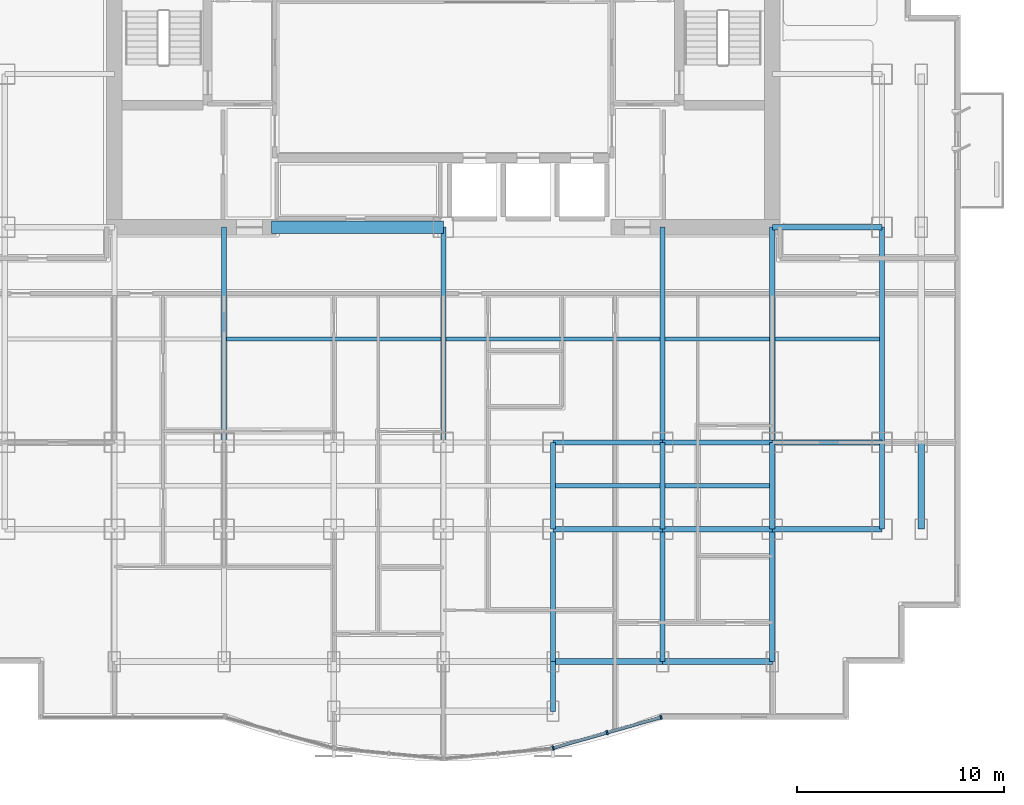
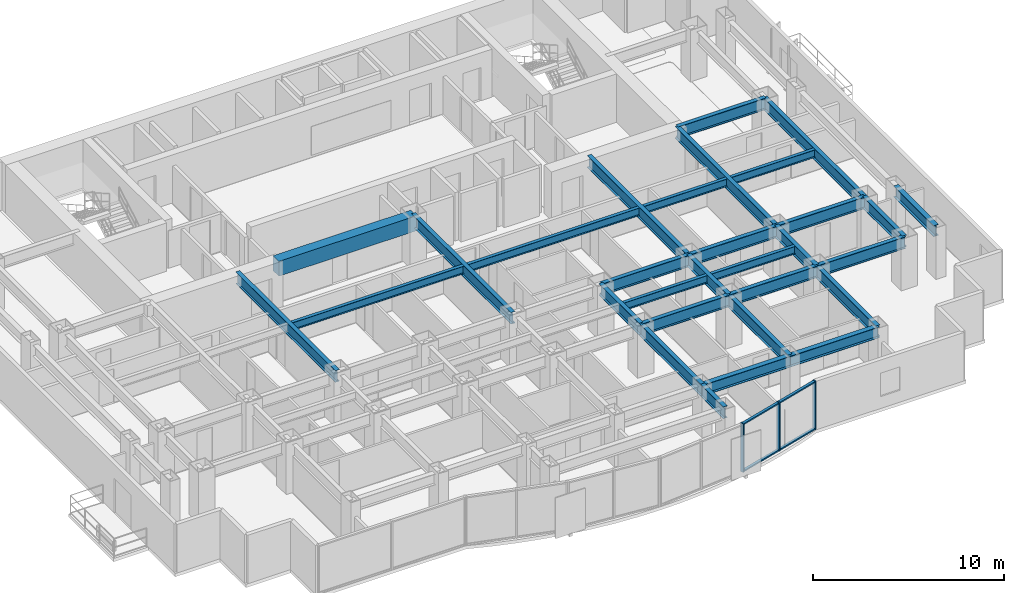
# One storey, part 3 of 10: 30 beams, 7 members, 1 element without a shape of its own.
"""IFC4 building model written with IfcOpenShell, lengths in metres."""

from ifc_helpers import new_model, si_unit, direction, frame, origin, origin_2d, place, context, subcontext, project, spatial, rectangle, i_section, extrude, source, transform, mapped, material, layer, layer_set, material_profile, profile_set, type_object, element, aggregate, save


model = new_model("IFC4")

# Units and contexts
model_context = context("Model", 3, precision=1e-05, world=origin(), true_north=direction((0.0, 1.0)))
body_context = subcontext(model_context, "Body", "Model", "MODEL_VIEW")
ifc_project = project(units=[si_unit("LENGTHUNIT", "METRE"), si_unit("AREAUNIT", "SQUARE_METRE"), si_unit("VOLUMEUNIT", "CUBIC_METRE"), si_unit("PLANEANGLEUNIT", "RADIAN"), si_unit("MASSUNIT", "GRAM", prefix="KILO")], contexts=[model_context])

# Site, building, storey
site_placement = place(None, origin())
site = spatial("IfcSite", under=ifc_project, at=site_placement, CompositionType="ELEMENT")
building_placement = place(site_placement, origin())
building = spatial("IfcBuilding", under=site, at=building_placement, Name="Qianlan Lanfeng Residences", CompositionType="ELEMENT")
storey_placement = place(building_placement, frame((0.0, 0.0, 94.89990234375)))
storey = spatial("IfcBuildingStorey", under=building, at=storey_placement, Name="L25", CompositionType="ELEMENT", Elevation=94.89990234375)

# Beams
ifc_material_1 = material(Name="Steel SN490B", Category="steel")
ifc_material_profile_1 = material_profile(ifc_material_1, i_section(OverallWidth=0.25, OverallDepth=0.75, WebThickness=0.013916015625, FlangeThickness=0.02490234375, at=origin_2d()), Name="H 750x250x14x25")
ifc_profile_set_1 = profile_set([ifc_material_profile_1], Name="Steel SN490B")
beam_type_1 = type_object("IfcBeamType", Name="G-850", PredefinedType="BEAM", material=ifc_profile_set_1)
beam_1_placement = place(storey_placement, frame((31.800048828125, 10.60009765625, 2.715087890625), z_axis=(1.0, 0.0, 0.0), x_axis=(0.0, 1.0, 0.0)))
element("IfcBeam", 1, at=beam_1_placement, inside=storey, type_object=beam_type_1, Name="Structural beam G-850", PredefinedType="BEAM", context=body_context, shape_type="SweptSolid", body=[
    extrude(i_section(OverallWidth=0.25, OverallDepth=0.75, WebThickness=0.013916015625, FlangeThickness=0.02490234375, at=origin_2d()), origin(), (0.0, 0.0, 1.0), 5.300048828125),
])
beam_2_placement = place(storey_placement, frame((37.10009765625, 10.60009765625, 2.715087890625), z_axis=(1.0, 0.0, 0.0), x_axis=(0.0, 1.0, 0.0)))
element("IfcBeam", 2, at=beam_2_placement, inside=storey, type_object=beam_type_1, Name="Structural beam G-850", PredefinedType="BEAM", context=body_context, shape_type="SweptSolid", body=[
    extrude(i_section(OverallWidth=0.25, OverallDepth=0.75, WebThickness=0.013916015625, FlangeThickness=0.02490234375, at=origin_2d()), origin(), (0.0, 0.0, 1.0), 5.2998046875),
])
for number, where, z_axis, x_axis, name in (
    (3, (42.39990234375, 10.60009765625, 2.715087890625), (1.0, 0.0, 0.0), (0.0, 1.0, 0.0), "Structural beam G-850"),
    (4, (31.800048828125, 14.800048828125, 2.715087890625), (1.0, 0.0, 0.0), (0.0, 1.0, 0.0), "Structural beam G-850"),
):
    element("IfcBeam", number, at=place(storey_placement, frame(where, z_axis=z_axis, x_axis=x_axis)), inside=storey, type_object=beam_type_1, Name=name, PredefinedType="BEAM", context=body_context, shape_type="SweptSolid", body=[
        extrude(i_section(OverallWidth=0.25, OverallDepth=0.75, WebThickness=0.013916015625, FlangeThickness=0.02490234375, at=origin_2d()), origin(), (0.0, 0.0, 1.0), 5.300048828125),
    ])
beam_3_placement = place(storey_placement, frame((37.10009765625, 14.800048828125, 2.715087890625), z_axis=(1.0, 0.0, 0.0), x_axis=(0.0, 1.0, 0.0)))
element("IfcBeam", 5, at=beam_3_placement, inside=storey, type_object=beam_type_1, Name="Structural beam G-850", PredefinedType="BEAM", context=body_context, shape_type="SweptSolid", body=[
    extrude(i_section(OverallWidth=0.25, OverallDepth=0.75, WebThickness=0.013916015625, FlangeThickness=0.02490234375, at=origin_2d()), origin(), (0.0, 0.0, 1.0), 5.2998046875),
])
for number, where, z_axis, x_axis, name in (
    (6, (42.39990234375, 14.800048828125, 2.715087890625), (1.0, 0.0, 0.0), (0.0, 1.0, 0.0), "Structural beam G-850"),
    (7, (42.39990234375, 25.199951171875, 2.715087890625), (1.0, 0.0, 0.0), (0.0, 1.0, 0.0), "Structural beam G-850"),
):
    element("IfcBeam", number, at=place(storey_placement, frame(where, z_axis=z_axis, x_axis=x_axis)), inside=storey, type_object=beam_type_1, Name=name, PredefinedType="BEAM", context=body_context, shape_type="SweptSolid", body=[
        extrude(i_section(OverallWidth=0.25, OverallDepth=0.75, WebThickness=0.013916015625, FlangeThickness=0.02490234375, at=origin_2d()), origin(), (0.0, 0.0, 1.0), 5.300048828125),
    ])
for number, where, z_axis, x_axis, name in (
    (8, (15.89990234375, 14.800048828125, 2.715087890625), (0.0, 1.0, 0.0), (-1.0, 0.0, 0.0), "Structural beam G-850"),
    (9, (26.5, 14.800048828125, 2.715087890625), (0.0, 1.0, 0.0), (-1.0, 0.0, 0.0), "Structural beam G-850"),
):
    element("IfcBeam", number, at=place(storey_placement, frame(where, z_axis=z_axis, x_axis=x_axis)), inside=storey, type_object=beam_type_1, Name=name, PredefinedType="BEAM", context=body_context, shape_type="SweptSolid", body=[
        extrude(i_section(OverallWidth=0.25, OverallDepth=0.75, WebThickness=0.013916015625, FlangeThickness=0.02490234375, at=origin_2d()), origin(), (0.0, 0.0, 1.0), 10.39990234375),
    ])
beam_4_placement = place(storey_placement, frame((31.800048828125, 1.800048828125, 2.715087890625), z_axis=(0.0, 1.0, 0.0), x_axis=(-1.0, 0.0, 0.0)))
element("IfcBeam", 10, at=beam_4_placement, inside=storey, type_object=beam_type_1, Name="Structural beam G-850", PredefinedType="BEAM", context=body_context, shape_type="SweptSolid", body=[
    extrude(i_section(OverallWidth=0.25, OverallDepth=0.75, WebThickness=0.013916015625, FlangeThickness=0.02490234375, at=origin_2d()), origin(), (0.0, 0.0, 1.0), 2.39990234375),
])
beam_5_placement = place(storey_placement, frame((31.800048828125, 4.199951171875, 2.715087890625), z_axis=(0.0, 1.0, 0.0), x_axis=(-1.0, 0.0, 0.0)))
element("IfcBeam", 11, at=beam_5_placement, inside=storey, type_object=beam_type_1, Name="Structural beam G-850", PredefinedType="BEAM", context=body_context, shape_type="SweptSolid", body=[
    extrude(i_section(OverallWidth=0.25, OverallDepth=0.75, WebThickness=0.013916015625, FlangeThickness=0.02490234375, at=origin_2d()), origin(), (0.0, 0.0, 1.0), 6.400146484375),
])
beam_6_placement = place(storey_placement, frame((31.800048828125, 10.60009765625, 2.715087890625), z_axis=(0.0, 1.0, 0.0), x_axis=(-1.0, 0.0, 0.0)))
element("IfcBeam", 12, at=beam_6_placement, inside=storey, type_object=beam_type_1, Name="Structural beam G-850", PredefinedType="BEAM", context=body_context, shape_type="SweptSolid", body=[
    extrude(i_section(OverallWidth=0.25, OverallDepth=0.75, WebThickness=0.013916015625, FlangeThickness=0.02490234375, at=origin_2d()), origin(), (0.0, 0.0, 1.0), 4.199951171875),
])
beam_7_placement = place(storey_placement, frame((37.10009765625, 4.199951171875, 2.715087890625), z_axis=(0.0, 1.0, 0.0), x_axis=(-1.0, 0.0, 0.0)))
element("IfcBeam", 13, at=beam_7_placement, inside=storey, type_object=beam_type_1, Name="Structural beam G-850", PredefinedType="BEAM", context=body_context, shape_type="SweptSolid", body=[
    extrude(i_section(OverallWidth=0.25, OverallDepth=0.75, WebThickness=0.013916015625, FlangeThickness=0.02490234375, at=origin_2d()), origin(), (0.0, 0.0, 1.0), 6.400146484375),
])
beam_8_placement = place(storey_placement, frame((37.10009765625, 10.60009765625, 2.715087890625), z_axis=(0.0, 1.0, 0.0), x_axis=(-1.0, 0.0, 0.0)))
element("IfcBeam", 14, at=beam_8_placement, inside=storey, type_object=beam_type_1, Name="Structural beam G-850", PredefinedType="BEAM", context=body_context, shape_type="SweptSolid", body=[
    extrude(i_section(OverallWidth=0.25, OverallDepth=0.75, WebThickness=0.013916015625, FlangeThickness=0.02490234375, at=origin_2d()), origin(), (0.0, 0.0, 1.0), 4.199951171875),
])
beam_9_placement = place(storey_placement, frame((37.10009765625, 14.800048828125, 2.715087890625), z_axis=(0.0, 1.0, 0.0), x_axis=(-1.0, 0.0, 0.0)))
element("IfcBeam", 15, at=beam_9_placement, inside=storey, type_object=beam_type_1, Name="Structural beam G-850", PredefinedType="BEAM", context=body_context, shape_type="SweptSolid", body=[
    extrude(i_section(OverallWidth=0.25, OverallDepth=0.75, WebThickness=0.013916015625, FlangeThickness=0.02490234375, at=origin_2d()), origin(), (0.0, 0.0, 1.0), 10.39990234375),
])
beam_10_placement = place(storey_placement, frame((42.39990234375, 4.199951171875, 2.715087890625), z_axis=(0.0, 1.0, 0.0), x_axis=(-1.0, 0.0, 0.0)))
element("IfcBeam", 16, at=beam_10_placement, inside=storey, type_object=beam_type_1, Name="Structural beam G-850", PredefinedType="BEAM", context=body_context, shape_type="SweptSolid", body=[
    extrude(i_section(OverallWidth=0.25, OverallDepth=0.75, WebThickness=0.013916015625, FlangeThickness=0.02490234375, at=origin_2d()), origin(), (0.0, 0.0, 1.0), 6.400146484375),
])
beam_11_placement = place(storey_placement, frame((42.39990234375, 10.60009765625, 2.715087890625), z_axis=(0.0, 1.0, 0.0), x_axis=(-1.0, 0.0, 0.0)))
element("IfcBeam", 17, at=beam_11_placement, inside=storey, type_object=beam_type_1, Name="Structural beam G-850", PredefinedType="BEAM", context=body_context, shape_type="SweptSolid", body=[
    extrude(i_section(OverallWidth=0.25, OverallDepth=0.75, WebThickness=0.013916015625, FlangeThickness=0.02490234375, at=origin_2d()), origin(), (0.0, 0.0, 1.0), 4.199951171875),
])
beam_12_placement = place(storey_placement, frame((42.39990234375, 14.800048828125, 2.715087890625), z_axis=(0.0, 1.0, 0.0), x_axis=(-1.0, 0.0, 0.0)))
element("IfcBeam", 18, at=beam_12_placement, inside=storey, type_object=beam_type_1, Name="Structural beam G-850", PredefinedType="BEAM", context=body_context, shape_type="SweptSolid", body=[
    extrude(i_section(OverallWidth=0.25, OverallDepth=0.75, WebThickness=0.013916015625, FlangeThickness=0.02490234375, at=origin_2d()), origin(), (0.0, 0.0, 1.0), 10.39990234375),
])
beam_13_placement = place(storey_placement, frame((47.699951171875, 10.60009765625, 2.715087890625), z_axis=(0.0, 1.0, 0.0), x_axis=(-1.0, 0.0, 0.0)))
element("IfcBeam", 19, at=beam_13_placement, inside=storey, type_object=beam_type_1, Name="Structural beam G-850", PredefinedType="BEAM", context=body_context, shape_type="SweptSolid", body=[
    extrude(i_section(OverallWidth=0.25, OverallDepth=0.75, WebThickness=0.013916015625, FlangeThickness=0.02490234375, at=origin_2d()), origin(), (0.0, 0.0, 1.0), 4.199951171875),
])
beam_14_placement = place(storey_placement, frame((47.699951171875, 14.800048828125, 2.715087890625), z_axis=(0.0, 1.0, 0.0), x_axis=(-1.0, 0.0, 0.0)))
element("IfcBeam", 20, at=beam_14_placement, inside=storey, type_object=beam_type_1, Name="Structural beam G-850", PredefinedType="BEAM", context=body_context, shape_type="SweptSolid", body=[
    extrude(i_section(OverallWidth=0.25, OverallDepth=0.75, WebThickness=0.013916015625, FlangeThickness=0.02490234375, at=origin_2d()), origin(), (0.0, 0.0, 1.0), 10.39990234375),
])
ifc_material_profile_2 = material_profile(ifc_material_1, i_section(OverallWidth=0.199951171875, OverallDepth=0.5, WebThickness=0.010009765625, FlangeThickness=0.01611328125, at=origin_2d()), Name="H 500x200x10x16")
ifc_profile_set_2 = profile_set([ifc_material_profile_2], Name="Steel SN490B")
beam_type_2 = type_object("IfcBeamType", Name="J-500", PredefinedType="JOIST", material=ifc_profile_set_2)
beam_15_placement = place(storey_placement, frame((31.925048828125, 12.699951171875, 2.840087890625), z_axis=(1.0, 0.0, 0.0), x_axis=(0.0, 1.0, 0.0)))
element("IfcBeam", 21, at=beam_15_placement, inside=storey, type_object=beam_type_2, Name="Structural beam J-500", PredefinedType="JOIST", context=body_context, shape_type="SweptSolid", body=[
    extrude(i_section(OverallWidth=0.199951171875, OverallDepth=0.5, WebThickness=0.010009765625, FlangeThickness=0.01611328125, at=origin_2d()), origin(), (0.0, 0.0, 1.0), 5.050048828125),
])
beam_16_placement = place(storey_placement, frame((37.22509765625, 12.699951171875, 2.840087890625), z_axis=(1.0, 0.0, 0.0), x_axis=(0.0, 1.0, 0.0)))
element("IfcBeam", 22, at=beam_16_placement, inside=storey, type_object=beam_type_2, Name="Structural beam J-500", PredefinedType="JOIST", context=body_context, shape_type="SweptSolid", body=[
    extrude(i_section(OverallWidth=0.199951171875, OverallDepth=0.5, WebThickness=0.010009765625, FlangeThickness=0.01611328125, at=origin_2d()), origin(), (0.0, 0.0, 1.0), 5.0498046875),
])
for number, where, z_axis, x_axis, name in (
    (23, (16.02490234375, 19.800048828125, 2.840087890625), (1.0, 0.0, 0.0), (0.0, 1.0, 0.0), "Structural beam J-500"),
    (24, (26.625, 19.800048828125, 2.840087890625), (1.0, 0.0, 0.0), (0.0, 1.0, 0.0), "Structural beam J-500"),
):
    element("IfcBeam", number, at=place(storey_placement, frame(where, z_axis=z_axis, x_axis=x_axis)), inside=storey, type_object=beam_type_2, Name=name, PredefinedType="JOIST", context=body_context, shape_type="SweptSolid", body=[
        extrude(i_section(OverallWidth=0.199951171875, OverallDepth=0.5, WebThickness=0.010009765625, FlangeThickness=0.01611328125, at=origin_2d()), origin(), (0.0, 0.0, 1.0), 10.35009765625),
    ])
beam_17_placement = place(storey_placement, frame((37.22509765625, 19.800048828125, 2.840087890625), z_axis=(1.0, 0.0, 0.0), x_axis=(0.0, 1.0, 0.0)))
element("IfcBeam", 25, at=beam_17_placement, inside=storey, type_object=beam_type_2, Name="Structural beam J-500", PredefinedType="JOIST", context=body_context, shape_type="SweptSolid", body=[
    extrude(i_section(OverallWidth=0.199951171875, OverallDepth=0.5, WebThickness=0.010009765625, FlangeThickness=0.01611328125, at=origin_2d()), origin(), (0.0, 0.0, 1.0), 5.0498046875),
])
beam_18_placement = place(storey_placement, frame((42.52490234375, 19.800048828125, 2.840087890625), z_axis=(1.0, 0.0, 0.0), x_axis=(0.0, 1.0, 0.0)))
element("IfcBeam", 26, at=beam_18_placement, inside=storey, type_object=beam_type_2, Name="Structural beam J-500", PredefinedType="JOIST", context=body_context, shape_type="SweptSolid", body=[
    extrude(i_section(OverallWidth=0.199951171875, OverallDepth=0.5, WebThickness=0.010009765625, FlangeThickness=0.01611328125, at=origin_2d()), origin(), (0.0, 0.0, 1.0), 5.050048828125),
])
ifc_material_2 = material(Name="Concrete C60", Category="concrete")
ifc_material_profile_3 = material_profile(ifc_material_2, rectangle(XDim=0.60009765625, YDim=0.949951171875, at=origin_2d()), Name="RC 600x950")
ifc_profile_set_3 = profile_set([ifc_material_profile_3], Name="Concrete C60")
beam_type_3 = type_object("IfcBeamType", Name="LB-RC900", PredefinedType="BEAM", material=ifc_profile_set_3)
beam_19_placement = place(storey_placement, frame((18.199951171875, 25.199951171875, 2.614990234375), z_axis=(1.0, 0.0, 0.0), x_axis=(0.0, 1.0, 0.0)))
element("IfcBeam", 27, at=beam_19_placement, inside=storey, type_object=beam_type_3, Name="L25 Core Coupling Beam W", PredefinedType="BEAM", context=body_context, shape_type="SweptSolid", body=[
    extrude(rectangle(XDim=0.60009765625, YDim=0.949951171875, at=origin_2d()), origin(), (0.0, 0.0, 1.0), 8.300048828125),
])
ifc_material_profile_4 = material_profile(ifc_material_1, i_section(OverallWidth=0.300048828125, OverallDepth=0.699951171875, WebThickness=0.012939453125, FlangeThickness=0.02392578125, at=origin_2d()), Name="H 700x300x13x24")
ifc_profile_set_4 = profile_set([ifc_material_profile_4], Name="Steel SN490B")
beam_type_4 = type_object("IfcBeamType", Name="SG-750", PredefinedType="SPANDREL", material=ifc_profile_set_4)
beam_20_placement = place(storey_placement, frame((31.800048828125, 4.199951171875, 2.739990234375), z_axis=(1.0, 0.0, 0.0), x_axis=(0.0, 1.0, 0.0)))
element("IfcBeam", 28, at=beam_20_placement, inside=storey, type_object=beam_type_4, Name="Structural beam SG-750", PredefinedType="SPANDREL", context=body_context, shape_type="SweptSolid", body=[
    extrude(i_section(OverallWidth=0.300048828125, OverallDepth=0.699951171875, WebThickness=0.012939453125, FlangeThickness=0.02392578125, at=origin_2d()), origin(), (0.0, 0.0, 1.0), 5.300048828125),
])
beam_21_placement = place(storey_placement, frame((37.10009765625, 4.199951171875, 2.739990234375), z_axis=(1.0, 0.0, 0.0), x_axis=(0.0, 1.0, 0.0)))
element("IfcBeam", 29, at=beam_21_placement, inside=storey, type_object=beam_type_4, Name="Structural beam SG-750", PredefinedType="SPANDREL", context=body_context, shape_type="SweptSolid", body=[
    extrude(i_section(OverallWidth=0.300048828125, OverallDepth=0.699951171875, WebThickness=0.012939453125, FlangeThickness=0.02392578125, at=origin_2d()), origin(), (0.0, 0.0, 1.0), 5.2998046875),
])
beam_22_placement = place(storey_placement, frame((49.60009765625, 10.60009765625, 2.739990234375), z_axis=(0.0, 1.0, 0.0), x_axis=(-1.0, 0.0, 0.0)))
element("IfcBeam", 30, at=beam_22_placement, inside=storey, type_object=beam_type_4, Name="Structural beam SG-750", PredefinedType="SPANDREL", context=body_context, shape_type="SweptSolid", body=[
    extrude(i_section(OverallWidth=0.300048828125, OverallDepth=0.699951171875, WebThickness=0.012939453125, FlangeThickness=0.02392578125, at=origin_2d()), origin(), (0.0, 0.0, 1.0), 4.199951171875),
])

# Curtain wall, members
ifc_material_3 = material(Name="Anodised Bronze Aluminium 6063-T6", Category="aluminium")
ifc_layer = layer(ifc_material_3, 0.219970703125)
ifc_layer_set = layer_set([ifc_layer], Name="Anodised Bronze Aluminium 6063-T6")
curtain_wall_type = type_object("IfcCurtainWallType", Name="CW-03", PredefinedType="NOTDEFINED", material=ifc_layer_set)
curtain_wall_placement = place(storey_placement, origin())
curtain_wall = element("IfcCurtainWall", 31, at=curtain_wall_placement, inside=storey, type_object=curtain_wall_type, Name="L25 Unitised Curtain Wall CWR-L25-05 (CW-03)", PredefinedType="NOTDEFINED")
ifc_material_profile_5 = material_profile(ifc_material_3, rectangle(XDim=0.080078125, YDim=0.159912109375, at=origin_2d()), Name="ALU TRANSOM 80x160")
ifc_profile_set_5 = profile_set([ifc_material_profile_5], Name="Anodised Bronze Aluminium 6063-T6")
member_type_1 = type_object("IfcMemberType", Name="CWT-180", PredefinedType="USERDEFINED", material=ifc_profile_set_5)
shared_shape_1 = source(origin(), body_context, "Body", "SweptSolid", [
    extrude(rectangle(XDim=0.080078125, YDim=0.159912109375, at=origin_2d()), origin(), (0.0, 0.0, 1.0), 2.630126953125),
])
member_1_placement = place(storey_placement, frame((31.844970703125, 0.039794921875, 0.0400390625), z_axis=(0.961984978242, 0.273102364758, 0.0), x_axis=(0.0, 0.0, 1.0)))
member_1 = element("IfcMember", 32, at=member_1_placement, type_object=member_type_1, Name="CWR-L25-05 Transom 1-BOT", ObjectType="TRANSOM", PredefinedType="USERDEFINED", context=body_context, shape_type="MappedRepresentation", body=[
    mapped(shared_shape_1, transform((0.0, 0.0, 0.0), scale=1.0)),
])
member_2_placement = place(storey_placement, frame((31.844970703125, 0.039794921875, 3.050048828125), z_axis=(0.961984978242, 0.273102364758, 0.0), x_axis=(0.0, 0.0, 1.0)))
member_2 = element("IfcMember", 33, at=member_2_placement, type_object=member_type_1, Name="CWR-L25-05 Transom 1-TOP", ObjectType="TRANSOM", PredefinedType="USERDEFINED", context=body_context, shape_type="MappedRepresentation", body=[
    mapped(shared_shape_1, transform((0.0, 0.0, 0.0), scale=1.0)),
])
shared_shape_2 = source(origin(), body_context, "Body", "SweptSolid", [
    extrude(rectangle(XDim=0.080078125, YDim=0.159912109375, at=origin_2d()), origin(), (0.0, 0.0, 1.0), 2.63037109375),
])
member_3_placement = place(storey_placement, frame((34.451904296875, 0.77978515625, 0.0400390625), z_axis=(0.961967513886, 0.273163874312, 0.0), x_axis=(0.0, 0.0, 1.0)))
member_3 = element("IfcMember", 34, at=member_3_placement, type_object=member_type_1, Name="CWR-L25-05 Transom 2-BOT", ObjectType="TRANSOM", PredefinedType="USERDEFINED", context=body_context, shape_type="MappedRepresentation", body=[
    mapped(shared_shape_2, transform((0.0, 0.0, 0.0), scale=1.0)),
])
member_4_placement = place(storey_placement, frame((34.451904296875, 0.77978515625, 3.050048828125), z_axis=(0.961967513886, 0.273163874312, 0.0), x_axis=(0.0, 0.0, 1.0)))
member_4 = element("IfcMember", 35, at=member_4_placement, type_object=member_type_1, Name="CWR-L25-05 Transom 2-TOP", ObjectType="TRANSOM", PredefinedType="USERDEFINED", context=body_context, shape_type="MappedRepresentation", body=[
    mapped(shared_shape_2, transform((0.0, 0.0, 0.0), scale=1.0)),
])
ifc_material_profile_6 = material_profile(ifc_material_3, rectangle(XDim=0.080078125, YDim=0.2099609375, at=origin_2d()), Name="ALU MULLION 80x210")
ifc_profile_set_6 = profile_set([ifc_material_profile_6], Name="Anodised Bronze Aluminium 6063-T6")
member_type_2 = type_object("IfcMemberType", Name="CWM-220", PredefinedType="MULLION", material=ifc_profile_set_6)
shared_shape_3 = source(origin(), body_context, "Body", "SweptSolid", [
    extrude(rectangle(XDim=0.080078125, YDim=0.2099609375, at=origin_2d()), origin(), (0.0, 0.0, 1.0), 3.090087890625),
])
member_5_placement = place(storey_placement, frame((31.806396484375, 0.02880859375, 0.0), z_axis=(0.0, 0.0, 1.0), x_axis=(0.961989074302, 0.273087936247, 0.0)))
member_5 = element("IfcMember", 36, at=member_5_placement, type_object=member_type_2, Name="CWR-L25-05 Mullion 1", PredefinedType="MULLION", context=body_context, shape_type="MappedRepresentation", body=[
    mapped(shared_shape_3, transform((0.0, 0.0, 0.0), scale=1.0)),
])
member_6_placement = place(storey_placement, frame((34.41357421875, 0.76904296875, 0.0), z_axis=(0.0, 0.0, 1.0), x_axis=(0.961989074302, 0.273087936247, 0.0)))
member_6 = element("IfcMember", 37, at=member_6_placement, type_object=member_type_2, Name="CWR-L25-05 Mullion 2", PredefinedType="MULLION", context=body_context, shape_type="MappedRepresentation", body=[
    mapped(shared_shape_3, transform((0.0, 0.0, 0.0), scale=1.0)),
])
member_7_placement = place(storey_placement, frame((37.0205078125, 1.509033203125, 0.0), z_axis=(0.0, 0.0, 1.0), x_axis=(0.961989074302, 0.273087936247, 0.0)))
member_7 = element("IfcMember", 38, at=member_7_placement, type_object=member_type_2, Name="CWR-L25-05 Mullion 3", PredefinedType="MULLION", context=body_context, shape_type="MappedRepresentation", body=[
    mapped(shared_shape_3, transform((0.0, 0.0, 0.0), scale=1.0)),
])
aggregate(curtain_wall, [member_5, member_6, member_7, member_1, member_2, member_3, member_4])

save(model, "model.ifc")
